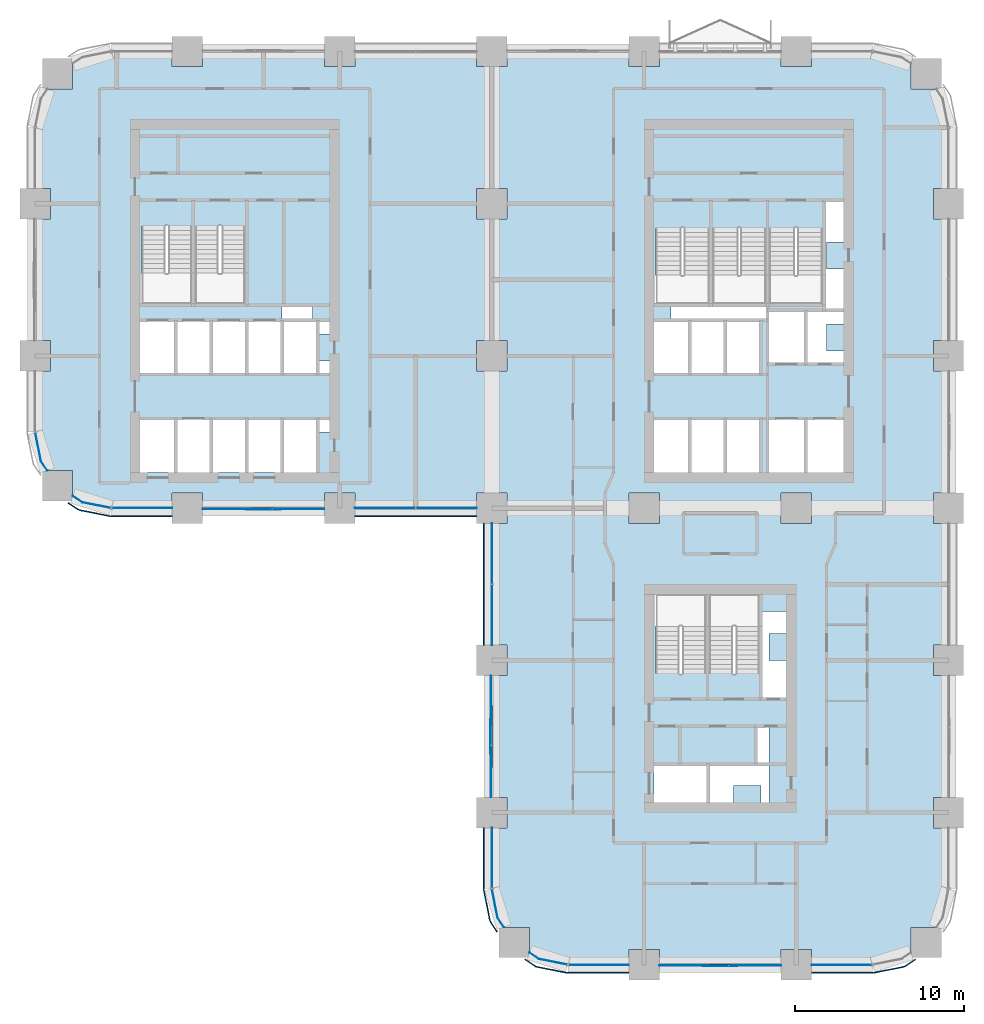
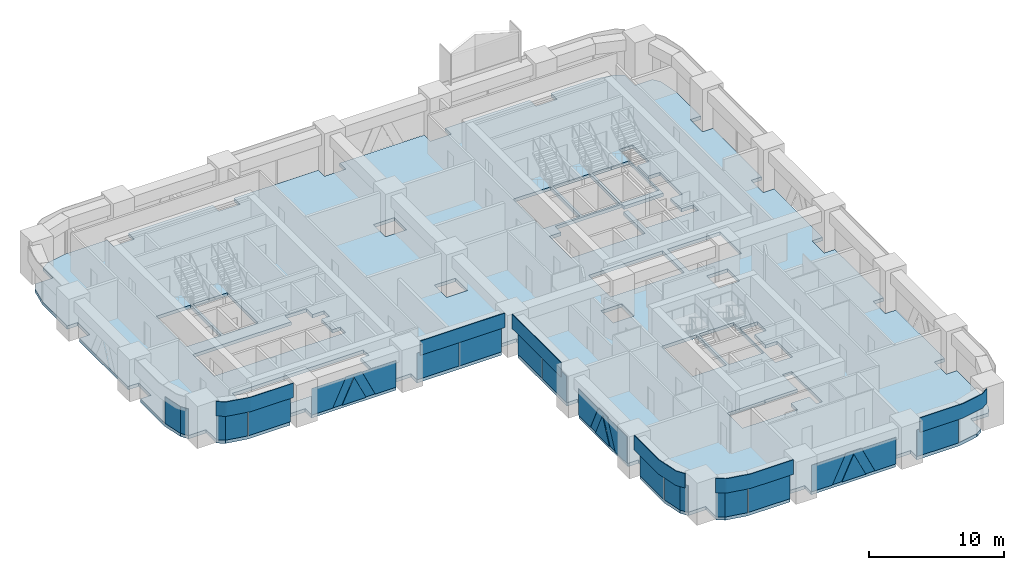
# One storey, part 9 of 26: 30 plates, 1 slab, 10 elements without a shape of their own.
"""IFC4 building model written with IfcOpenShell, lengths in metres."""

from ifc_helpers import new_model, si_unit, direction, frame, origin, origin_2d, place, context, subcontext, project, spatial, polyline, rectangle, outline, extrude, material, layer, layer_set, type_object, element, aggregate, save


model = new_model("IFC4")

# Units and contexts
model_context = context("Model", 3, precision=1e-05, world=origin(), true_north=direction((0.0, 1.0)))
body_context = subcontext(model_context, "Body", "Model", "MODEL_VIEW")
ifc_project = project(units=[si_unit("LENGTHUNIT", "METRE"), si_unit("AREAUNIT", "SQUARE_METRE"), si_unit("VOLUMEUNIT", "CUBIC_METRE"), si_unit("PLANEANGLEUNIT", "RADIAN"), si_unit("MASSUNIT", "GRAM", prefix="KILO")], contexts=[model_context])

# Site, building, storey
site_placement = place(None, origin())
site = spatial("IfcSite", under=ifc_project, at=site_placement, CompositionType="ELEMENT")
building_placement = place(site_placement, origin())
building = spatial("IfcBuilding", under=site, at=building_placement, Name="Tessera Arch", CompositionType="ELEMENT")
storey_placement = place(building_placement, frame((0.0, 0.0, 96.800048828125)))
storey = spatial("IfcBuildingStorey", under=building, at=storey_placement, Name="L22", CompositionType="ELEMENT", Elevation=96.800048828125)

# Curtain wall, plates
ifc_material_1 = material(Name="CW1 curtain wall")
curtain_wall_type_1 = type_object("IfcCurtainWallType", Name="CW1 curtain wall", PredefinedType="NOTDEFINED", material=ifc_material_1)
curtain_wall_1_placement = place(storey_placement, origin())
curtain_wall_1 = element("IfcCurtainWall", 1, at=curtain_wall_1_placement, inside=storey, type_object=curtain_wall_type_1, Name="CW1 curtain wall S27.0/2 L22", PredefinedType="NOTDEFINED")
ifc_material_2 = material(Name="Clear low-e glass", Category="glass")
ifc_material_3 = material(Name="Clear low-e glass", Category="glass")
ifc_layer_1 = layer(ifc_material_3, 0.028076171875)
ifc_layer_set_1 = layer_set([ifc_layer_1], Name="CW1 glass panel")
plate_type_1 = type_object("IfcPlateType", Name="CW1 glass panel", PredefinedType="CURTAIN_PANEL", material=ifc_layer_set_1)
plate_1_placement = place(storey_placement, frame((20.68505859375, 27.0, 0.0), z_axis=(0.0, 0.0, 1.0), x_axis=(1.0, 0.0, 0.0)))
plate_1 = element("IfcPlate", 2, at=plate_1_placement, type_object=plate_type_1, material=ifc_material_2, Name="CW1 glass panel S27.0/2 1.1.1", PredefinedType="CURTAIN_PANEL", context=body_context, shape_type="SweptSolid", body=[
    extrude(rectangle(XDim=3.570068359375, YDim=0.028076171875, at=origin_2d()), origin(), (0.0, 0.0, 1.0), 2.39990234375),
])
plate_2_placement = place(storey_placement, frame((24.31494140625, 27.0, 0.0), z_axis=(0.0, 0.0, 1.0), x_axis=(1.0, 0.0, 0.0)))
plate_2 = element("IfcPlate", 3, at=plate_2_placement, type_object=plate_type_1, material=ifc_material_2, Name="CW1 glass panel S27.0/2 1.2.1", PredefinedType="CURTAIN_PANEL", context=body_context, shape_type="SweptSolid", body=[
    extrude(rectangle(XDim=3.570068359375, YDim=0.028076171875, at=origin_2d()), origin(), (0.0, 0.0, 1.0), 2.39990234375),
])

curtain_wall_2_placement = place(storey_placement, origin())
curtain_wall_2 = element("IfcCurtainWall", 4, at=curtain_wall_2_placement, inside=storey, type_object=curtain_wall_type_1, Name="CW1 curtain wall W27.0/0 L22", PredefinedType="NOTDEFINED")
plate_3_placement = place(storey_placement, frame((27.0, 24.31494140625, 0.0), z_axis=(0.0, 0.0, 1.0), x_axis=(0.0, -1.0, 0.0)))
plate_3 = element("IfcPlate", 5, at=plate_3_placement, type_object=plate_type_1, material=ifc_material_2, Name="CW1 glass panel W27.0/0 1.1.1", PredefinedType="CURTAIN_PANEL", context=body_context, shape_type="SweptSolid", body=[
    extrude(rectangle(XDim=3.570068359375, YDim=0.028076171875, at=origin_2d()), origin(), (0.0, 0.0, 1.0), 2.39990234375),
])
plate_4_placement = place(storey_placement, frame((27.0, 20.68505859375, 0.0), z_axis=(0.0, 0.0, 1.0), x_axis=(0.0, -1.0, 0.0)))
plate_4 = element("IfcPlate", 6, at=plate_4_placement, type_object=plate_type_1, material=ifc_material_2, Name="CW1 glass panel W27.0/0 1.2.1", PredefinedType="CURTAIN_PANEL", context=body_context, shape_type="SweptSolid", body=[
    extrude(rectangle(XDim=3.570068359375, YDim=0.028076171875, at=origin_2d()), origin(), (0.0, 0.0, 1.0), 2.39990234375),
])

# Plate
ifc_material_4 = material(Name="Pale anodised aluminium panel", Category="aluminium")
ifc_layer_2 = layer(ifc_material_4, 0.06005859375)
ifc_layer_set_2 = layer_set([ifc_layer_2], Name="CW1 spandrel panel")
plate_type_2 = type_object("IfcPlateType", Name="CW1 spandrel panel", PredefinedType="CURTAIN_PANEL", material=ifc_layer_set_2)
plate_5_placement = place(storey_placement, frame((22.5, 26.52001953125, 2.5), z_axis=(0.0, 0.0, 1.0), x_axis=(1.0, 0.0, 0.0)))
plate_5 = element("IfcPlate", 7, at=plate_5_placement, type_object=plate_type_2, Name="CW1 spandrel panel S27.0/2", PredefinedType="CURTAIN_PANEL", context=body_context, shape_type="SweptSolid", body=[
    extrude(rectangle(XDim=7.199951171875, YDim=0.06005859375, at=origin_2d()), origin(), (0.0, 0.0, 1.0), 1.300048828125),
])

aggregate(curtain_wall_1, [plate_1, plate_2, plate_5])

plate_6_placement = place(storey_placement, frame((26.52001953125, 22.5, 2.5), z_axis=(0.0, 0.0, 1.0), x_axis=(0.0, -1.0, 0.0)))
plate_6 = element("IfcPlate", 8, at=plate_6_placement, type_object=plate_type_2, Name="CW1 spandrel panel W27.0/0", PredefinedType="CURTAIN_PANEL", context=body_context, shape_type="SweptSolid", body=[
    extrude(rectangle(XDim=7.199951171875, YDim=0.06005859375, at=origin_2d()), origin(), (0.0, 0.0, 1.0), 1.300048828125),
])

aggregate(curtain_wall_2, [plate_3, plate_4, plate_6])

# Curtain wall, plate
ifc_material_5 = material(Name="CW2 curtain wall")
curtain_wall_type_2 = type_object("IfcCurtainWallType", Name="CW2 curtain wall", PredefinedType="NOTDEFINED", material=ifc_material_5)
curtain_wall_3_placement = place(storey_placement, origin())
curtain_wall_3 = element("IfcCurtainWall", 9, at=curtain_wall_3_placement, inside=storey, type_object=curtain_wall_type_2, Name="CW2 curtain wall W0.27/2 L22", PredefinedType="NOTDEFINED")
ifc_material_6 = material(Name="Clear low-e glass", Category="glass")
ifc_layer_3 = layer(ifc_material_6, 0.028076171875)
ifc_layer_set_3 = layer_set([ifc_layer_3], Name="CW2 glass panel")
plate_type_3 = type_object("IfcPlateType", Name="CW2 glass panel", PredefinedType="CURTAIN_PANEL", material=ifc_layer_set_3)
plate_7_placement = place(storey_placement, origin())
plate_7 = element("IfcPlate", 10, at=plate_7_placement, type_object=plate_type_3, material=ifc_material_2, Name="CW2 curved glass panel W0.27/2 2.1", PredefinedType="CURTAIN_PANEL", context=body_context, shape_type="SweptSolid", body=[
    extrude(outline(polyline([(0.355712890625, 29.783447265625), (0.021484375, 31.46337890625), (-0.005859375, 31.4580078125), (0.329345703125, 29.7724609375), (0.705078125, 29.210205078125), (0.728271484375, 29.225830078125), (0.355712890625, 29.783447265625)])), origin(), (0.0, 0.0, 1.0), 2.39990234375),
])
aggregate(curtain_wall_3, [plate_7])

# Curtain wall, plates
curtain_wall_4_placement = place(storey_placement, origin())
curtain_wall_4 = element("IfcCurtainWall", 11, at=curtain_wall_4_placement, inside=storey, type_object=curtain_wall_type_2, Name="CW2 curtain wall S27.0/0 L22", PredefinedType="NOTDEFINED")
plate_8_placement = place(storey_placement, frame((6.320068359375, 27.0, 0.0), z_axis=(0.0, 0.0, 1.0), x_axis=(1.0, 0.0, 0.0)))
plate_8 = element("IfcPlate", 12, at=plate_8_placement, type_object=plate_type_3, material=ifc_material_2, Name="CW2 glass panel S27.0/0 1.1", PredefinedType="CURTAIN_PANEL", context=body_context, shape_type="SweptSolid", body=[
    extrude(rectangle(XDim=3.56005859375, YDim=0.028076171875, at=origin_2d()), origin(), (0.0, 0.0, 1.0), 2.39990234375),
])
plate_9_placement = place(storey_placement, origin())
plate_9 = element("IfcPlate", 13, at=plate_9_placement, type_object=plate_type_3, material=ifc_material_2, Name="CW2 curved glass panel S27.0/0 2.1", PredefinedType="CURTAIN_PANEL", context=body_context, shape_type="SweptSolid", body=[
    extrude(outline(polyline([(2.783447265625, 27.355712890625), (2.225830078125, 27.728271484375), (2.210205078125, 27.705078125), (2.7724609375, 27.329345703125), (4.4580078125, 26.994140625), (4.46337890625, 27.021484375), (2.783447265625, 27.355712890625)])), origin(), (0.0, 0.0, 1.0), 2.39990234375),
])

curtain_wall_5_placement = place(storey_placement, origin())
curtain_wall_5 = element("IfcCurtainWall", 14, at=curtain_wall_5_placement, inside=storey, type_object=curtain_wall_type_2, Name="CW2 curtain wall W27.0/2 L22", PredefinedType="NOTDEFINED")
plate_10_placement = place(storey_placement, frame((27.0, 6.320068359375, 0.0), z_axis=(0.0, 0.0, 1.0), x_axis=(0.0, -1.0, 0.0)))
plate_10 = element("IfcPlate", 15, at=plate_10_placement, type_object=plate_type_3, material=ifc_material_2, Name="CW2 glass panel W27.0/2 1.1", PredefinedType="CURTAIN_PANEL", context=body_context, shape_type="SweptSolid", body=[
    extrude(rectangle(XDim=3.56005859375, YDim=0.028076171875, at=origin_2d()), origin(), (0.0, 0.0, 1.0), 2.39990234375),
])
plate_11_placement = place(storey_placement, origin())
plate_11 = element("IfcPlate", 16, at=plate_11_placement, type_object=plate_type_3, material=ifc_material_2, Name="CW2 curved glass panel W27.0/2 2.1", PredefinedType="CURTAIN_PANEL", context=body_context, shape_type="SweptSolid", body=[
    extrude(outline(polyline([(27.355712890625, 2.783447265625), (27.021484375, 4.46337890625), (26.994140625, 4.4580078125), (27.329345703125, 2.7724609375), (27.705078125, 2.210205078125), (27.728271484375, 2.225830078125), (27.355712890625, 2.783447265625)])), origin(), (0.0, 0.0, 1.0), 2.39990234375),
])

curtain_wall_6_placement = place(storey_placement, origin())
curtain_wall_6 = element("IfcCurtainWall", 17, at=curtain_wall_6_placement, inside=storey, type_object=curtain_wall_type_2, Name="CW2 curtain wall S0.27/0 L22", PredefinedType="NOTDEFINED")
plate_12_placement = place(storey_placement, frame((33.320068359375, 0.0, 0.0), z_axis=(0.0, 0.0, 1.0), x_axis=(1.0, 0.0, 0.0)))
plate_12 = element("IfcPlate", 18, at=plate_12_placement, type_object=plate_type_3, material=ifc_material_2, Name="CW2 glass panel S0.27/0 1.1", PredefinedType="CURTAIN_PANEL", context=body_context, shape_type="SweptSolid", body=[
    extrude(rectangle(XDim=3.56005859375, YDim=0.028076171875, at=origin_2d()), origin(), (0.0, 0.0, 1.0), 2.39990234375),
])
plate_13_placement = place(storey_placement, origin())
plate_13 = element("IfcPlate", 19, at=plate_13_placement, type_object=plate_type_3, material=ifc_material_2, Name="CW2 curved glass panel S0.27/0 2.1", PredefinedType="CURTAIN_PANEL", context=body_context, shape_type="SweptSolid", body=[
    extrude(outline(polyline([(29.783447265625, 0.355712890625), (29.225830078125, 0.728271484375), (29.210205078125, 0.705078125), (29.7724609375, 0.329345703125), (31.4580078125, -0.005859375), (31.46337890625, 0.021484375), (29.783447265625, 0.355712890625)])), origin(), (0.0, 0.0, 1.0), 2.39990234375),
])

# Curtain wall, plate
curtain_wall_7_placement = place(storey_placement, origin())
curtain_wall_7 = element("IfcCurtainWall", 20, at=curtain_wall_7_placement, inside=storey, type_object=curtain_wall_type_2, Name="CW2 curtain wall S0.27/2 L22", PredefinedType="NOTDEFINED")
plate_14_placement = place(storey_placement, frame((47.679931640625, 0.0, 0.0), z_axis=(0.0, 0.0, 1.0), x_axis=(1.0, 0.0, 0.0)))
plate_14 = element("IfcPlate", 21, at=plate_14_placement, type_object=plate_type_3, material=ifc_material_2, Name="CW2 glass panel S0.27/2 1.1", PredefinedType="CURTAIN_PANEL", context=body_context, shape_type="SweptSolid", body=[
    extrude(rectangle(XDim=3.56005859375, YDim=0.028076171875, at=origin_2d()), origin(), (0.0, 0.0, 1.0), 2.39990234375),
])

# Plate
ifc_material_7 = material(Name="Pale anodised aluminium panel", Category="aluminium")
ifc_layer_4 = layer(ifc_material_7, 0.06005859375)
ifc_layer_set_4 = layer_set([ifc_layer_4], Name="CW2 spandrel panel")
plate_type_4 = type_object("IfcPlateType", Name="CW2 spandrel panel", PredefinedType="CURTAIN_PANEL", material=ifc_layer_set_4)
plate_15_placement = place(storey_placement, frame((0.0, 0.0, 2.5)))
plate_15 = element("IfcPlate", 22, at=plate_15_placement, type_object=plate_type_4, Name="CW2 spandrel panel S27.0/0", PredefinedType="CURTAIN_PANEL", context=body_context, shape_type="SweptSolid", body=[
    extrude(outline(polyline([(2.52734375, 26.96875), (1.968017578125, 27.342529296875), (1.9345703125, 27.292724609375), (2.4951171875, 26.91796875), (2.537353515625, 26.892822265625), (2.582763671875, 26.871337890625), (2.6298828125, 26.8544921875), (2.677734375, 26.842529296875), (4.401123046875, 26.499755859375), (4.449951171875, 26.492431640625), (4.499267578125, 26.489990234375), (8.10009765625, 26.489990234375), (8.10009765625, 26.550048828125), (4.500732421875, 26.550048828125), (4.455810546875, 26.55224609375), (4.411376953125, 26.558837890625), (2.69091796875, 26.90087890625), (2.647216796875, 26.911865234375), (2.605712890625, 26.9267578125), (2.565673828125, 26.94580078125), (2.52734375, 26.96875)])), origin(), (0.0, 0.0, 1.0), 1.300048828125),
])

aggregate(curtain_wall_4, [plate_8, plate_9, plate_15])

plate_16_placement = place(storey_placement, frame((0.0, 0.0, 2.5)))
plate_16 = element("IfcPlate", 23, at=plate_16_placement, type_object=plate_type_4, Name="CW2 spandrel panel W27.0/2", PredefinedType="CURTAIN_PANEL", context=body_context, shape_type="SweptSolid", body=[
    extrude(outline(polyline([(26.550048828125, 4.500732421875), (26.550048828125, 8.10009765625), (26.489990234375, 8.10009765625), (26.489990234375, 4.499267578125), (26.492431640625, 4.449951171875), (26.499755859375, 4.401123046875), (26.842529296875, 2.677734375), (26.8544921875, 2.6298828125), (26.871337890625, 2.582763671875), (26.892822265625, 2.537353515625), (26.91796875, 2.4951171875), (27.292724609375, 1.9345703125), (27.342529296875, 1.968017578125), (26.96875, 2.52734375), (26.94580078125, 2.565673828125), (26.9267578125, 2.605712890625), (26.911865234375, 2.647216796875), (26.90087890625, 2.69091796875), (26.558837890625, 4.411376953125), (26.55224609375, 4.455810546875), (26.550048828125, 4.500732421875)])), origin(), (0.0, 0.0, 1.0), 1.300048828125),
])

aggregate(curtain_wall_5, [plate_10, plate_11, plate_16])

plate_17_placement = place(storey_placement, frame((0.0, 0.0, 2.5)))
plate_17 = element("IfcPlate", 24, at=plate_17_placement, type_object=plate_type_4, Name="CW2 spandrel panel S0.27/0", PredefinedType="CURTAIN_PANEL", context=body_context, shape_type="SweptSolid", body=[
    extrude(outline(polyline([(29.52734375, -0.03125), (28.968017578125, 0.342529296875), (28.9345703125, 0.292724609375), (29.4951171875, -0.08203125), (29.537353515625, -0.107177734375), (29.582763671875, -0.128662109375), (29.6298828125, -0.1455078125), (29.677734375, -0.157470703125), (31.401123046875, -0.500244140625), (31.449951171875, -0.507568359375), (31.499267578125, -0.510009765625), (35.10009765625, -0.510009765625), (35.10009765625, -0.449951171875), (31.500732421875, -0.449951171875), (31.455810546875, -0.44775390625), (31.411376953125, -0.441162109375), (29.69091796875, -0.09912109375), (29.647216796875, -0.088134765625), (29.605712890625, -0.0732421875), (29.565673828125, -0.05419921875), (29.52734375, -0.03125)])), origin(), (0.0, 0.0, 1.0), 1.300048828125),
])

aggregate(curtain_wall_6, [plate_12, plate_13, plate_17])

plate_18_placement = place(storey_placement, frame((0.0, 0.0, 2.5)))
plate_18 = element("IfcPlate", 25, at=plate_18_placement, type_object=plate_type_4, Name="CW2 spandrel panel S0.27/2", PredefinedType="CURTAIN_PANEL", context=body_context, shape_type="SweptSolid", body=[
    extrude(outline(polyline([(49.499267578125, -0.449951171875), (45.89990234375, -0.449951171875), (45.89990234375, -0.510009765625), (49.500732421875, -0.510009765625), (49.550048828125, -0.507568359375), (49.598876953125, -0.500244140625), (51.322265625, -0.157470703125), (51.3701171875, -0.1455078125), (51.417236328125, -0.128662109375), (51.462646484375, -0.107177734375), (51.5048828125, -0.08203125), (52.0654296875, 0.292724609375), (52.031982421875, 0.342529296875), (51.47265625, -0.03125), (51.434326171875, -0.05419921875), (51.394287109375, -0.0732421875), (51.352783203125, -0.088134765625), (51.30908203125, -0.09912109375), (49.588623046875, -0.441162109375), (49.544189453125, -0.44775390625), (49.499267578125, -0.449951171875)])), origin(), (0.0, 0.0, 1.0), 1.300048828125),
])

aggregate(curtain_wall_7, [plate_14, plate_18])

# Curtain wall, plate
ifc_material_8 = material(Name="CW3 curtain wall")
curtain_wall_type_3 = type_object("IfcCurtainWallType", Name="CW3 curtain wall", PredefinedType="NOTDEFINED", material=ifc_material_8)
curtain_wall_8_placement = place(storey_placement, origin())
curtain_wall_8 = element("IfcCurtainWall", 26, at=curtain_wall_8_placement, inside=storey, type_object=curtain_wall_type_3, Name="CW3 curtain wall S27.0/1 L22", PredefinedType="NOTDEFINED")
ifc_material_9 = material(Name="Pale anodised aluminium panel", Category="aluminium")
ifc_layer_5 = layer(ifc_material_9, 0.06005859375)
ifc_layer_set_5 = layer_set([ifc_layer_5], Name="CW3 diagonal panel")
plate_type_5 = type_object("IfcPlateType", Name="CW3 diagonal panel", PredefinedType="CURTAIN_PANEL", material=ifc_layer_set_5)
plate_19_placement = place(storey_placement, frame((14.183349609375, 26.969970703125, 2.39990234375), z_axis=(0.0, -1.0, 0.0), x_axis=(-1.0, 0.0, 0.0)))
plate_19 = element("IfcPlate", 27, at=plate_19_placement, type_object=plate_type_5, Name="CW3 diagonal panel S27.0/1 1", PredefinedType="CURTAIN_PANEL", context=body_context, shape_type="SweptSolid", body=[
    extrude(outline(polyline([(0.0, 0.0), (1.36669921875, 0.0), (2.50341796875, 2.39990234375), (1.705322265625, 2.39990234375), (0.683349609375, 0.242431640625), (-0.338623046875, 2.39990234375), (-1.13671875, 2.39990234375), (0.0, 0.0)])), origin(), (0.0, 0.0, -1.0), 0.06005859375),
])

curtain_wall_9_placement = place(storey_placement, origin())
curtain_wall_9 = element("IfcCurtainWall", 28, at=curtain_wall_9_placement, inside=storey, type_object=curtain_wall_type_3, Name="CW3 curtain wall W27.0/1 L22", PredefinedType="NOTDEFINED")
plate_20_placement = place(storey_placement, frame((26.969970703125, 12.816650390625, 2.39990234375), z_axis=(-1.0, 0.0, 0.0), x_axis=(0.0, 1.0, 0.0)))
plate_20 = element("IfcPlate", 29, at=plate_20_placement, type_object=plate_type_5, Name="CW3 diagonal panel W27.0/1 1", PredefinedType="CURTAIN_PANEL", context=body_context, shape_type="SweptSolid", body=[
    extrude(outline(polyline([(0.0, 0.0), (1.36669921875, 0.0), (2.50341796875, 2.39990234375), (1.705322265625, 2.39990234375), (0.683349609375, 0.242431640625), (-0.338623046875, 2.39990234375), (-1.13671875, 2.39990234375), (0.0, 0.0)])), origin(), (0.0, 0.0, -1.0), 0.06005859375),
])

curtain_wall_10_placement = place(storey_placement, origin())
curtain_wall_10 = element("IfcCurtainWall", 30, at=curtain_wall_10_placement, inside=storey, type_object=curtain_wall_type_3, Name="CW3 curtain wall S0.27/1 L22", PredefinedType="NOTDEFINED")
plate_21_placement = place(storey_placement, frame((41.183349609375, -0.030029296875, 2.39990234375), z_axis=(0.0, -1.0, 0.0), x_axis=(-1.0, 0.0, 0.0)))
plate_21 = element("IfcPlate", 31, at=plate_21_placement, type_object=plate_type_5, Name="CW3 diagonal panel S0.27/1 1", PredefinedType="CURTAIN_PANEL", context=body_context, shape_type="SweptSolid", body=[
    extrude(outline(polyline([(0.0, 0.0), (1.36669921875, 0.0), (2.50341796875, 2.39990234375), (1.705322265625, 2.39990234375), (0.683349609375, 0.242431640625), (-0.338623046875, 2.39990234375), (-1.13671875, 2.39990234375), (0.0, 0.0)])), origin(), (0.0, 0.0, -1.0), 0.06005859375),
])

# Plate
ifc_material_10 = material(Name="Clear low-e glass", Category="glass")
ifc_layer_6 = layer(ifc_material_10, 0.028076171875)
ifc_layer_set_6 = layer_set([ifc_layer_6], Name="CW3 glass panel")
plate_type_6 = type_object("IfcPlateType", Name="CW3 glass panel", PredefinedType="CURTAIN_PANEL", material=ifc_layer_set_6)
plate_22_placement = place(storey_placement, frame((9.89990234375, 26.94189453125, 0.0), z_axis=(0.0, -1.0, 0.0), x_axis=(1.0, 0.0, 0.0)))
plate_22 = element("IfcPlate", 32, at=plate_22_placement, type_object=plate_type_6, material=ifc_material_2, Name="CW3 triangulated glass panel S27.0/1 1", PredefinedType="CURTAIN_PANEL", context=body_context, shape_type="SweptSolid", body=[
    extrude(outline(polyline([(0.0, 0.0), (1.780029296875, 0.0), (2.916748046875, 2.39990234375), (0.0, 2.39990234375), (0.0, 0.0)])), origin(), (0.0, 0.0, -1.0), 0.028076171875),
])

plate_23_placement = place(storey_placement, frame((12.47802734375, 26.9140625, 0.0), z_axis=(0.0, -1.0, 0.0), x_axis=(1.0, 0.0, 0.0)))
plate_23 = element("IfcPlate", 33, at=plate_23_placement, type_object=plate_type_6, material=ifc_material_2, Name="CW3 triangulated glass panel S27.0/1 2", PredefinedType="CURTAIN_PANEL", context=body_context, shape_type="SweptSolid", body=[
    extrude(outline(polyline([(0.0, 0.0), (2.0439453125, 0.0), (1.02197265625, 2.157470703125), (0.0, 0.0)])), origin(), (0.0, 0.0, -1.0), 0.028076171875),
])

plate_24_placement = place(storey_placement, frame((17.10009765625, 26.94189453125, 2.39990234375), z_axis=(0.0, -1.0, 0.0), x_axis=(-1.0, 0.0, 0.0)))
plate_24 = element("IfcPlate", 34, at=plate_24_placement, type_object=plate_type_6, material=ifc_material_2, Name="CW3 triangulated glass panel S27.0/1 3", PredefinedType="CURTAIN_PANEL", context=body_context, shape_type="SweptSolid", body=[
    extrude(outline(polyline([(0.0, 0.0), (2.916748046875, 0.0), (1.780029296875, 2.39990234375), (0.0, 2.39990234375), (0.0, 0.0)])), origin(), (0.0, 0.0, -1.0), 0.028076171875),
])

aggregate(curtain_wall_8, [plate_22, plate_23, plate_24, plate_19])

plate_25_placement = place(storey_placement, frame((26.94189453125, 17.10009765625, 0.0), z_axis=(-1.0, 0.0, 0.0), x_axis=(0.0, -1.0, 0.0)))
plate_25 = element("IfcPlate", 35, at=plate_25_placement, type_object=plate_type_6, material=ifc_material_2, Name="CW3 triangulated glass panel W27.0/1 1", PredefinedType="CURTAIN_PANEL", context=body_context, shape_type="SweptSolid", body=[
    extrude(outline(polyline([(0.0, 0.0), (1.780029296875, 0.0), (2.916748046875, 2.39990234375), (0.0, 2.39990234375), (0.0, 0.0)])), origin(), (0.0, 0.0, -1.0), 0.028076171875),
])

plate_26_placement = place(storey_placement, frame((26.9140625, 14.52197265625, 0.0), z_axis=(-1.0, 0.0, 0.0), x_axis=(0.0, -1.0, 0.0)))
plate_26 = element("IfcPlate", 36, at=plate_26_placement, type_object=plate_type_6, material=ifc_material_2, Name="CW3 triangulated glass panel W27.0/1 2", PredefinedType="CURTAIN_PANEL", context=body_context, shape_type="SweptSolid", body=[
    extrude(outline(polyline([(0.0, 0.0), (2.0439453125, 0.0), (1.02197265625, 2.157470703125), (0.0, 0.0)])), origin(), (0.0, 0.0, -1.0), 0.028076171875),
])

plate_27_placement = place(storey_placement, frame((26.94189453125, 9.89990234375, 2.39990234375), z_axis=(-1.0, 0.0, 0.0), x_axis=(0.0, 1.0, 0.0)))
plate_27 = element("IfcPlate", 37, at=plate_27_placement, type_object=plate_type_6, material=ifc_material_2, Name="CW3 triangulated glass panel W27.0/1 3", PredefinedType="CURTAIN_PANEL", context=body_context, shape_type="SweptSolid", body=[
    extrude(outline(polyline([(0.0, 0.0), (2.916748046875, 0.0), (1.780029296875, 2.39990234375), (0.0, 2.39990234375), (0.0, 0.0)])), origin(), (0.0, 0.0, -1.0), 0.028076171875),
])

aggregate(curtain_wall_9, [plate_25, plate_26, plate_27, plate_20])

plate_28_placement = place(storey_placement, frame((36.89990234375, -0.05810546875, 0.0), z_axis=(0.0, -1.0, 0.0), x_axis=(1.0, 0.0, 0.0)))
plate_28 = element("IfcPlate", 38, at=plate_28_placement, type_object=plate_type_6, material=ifc_material_2, Name="CW3 triangulated glass panel S0.27/1 1", PredefinedType="CURTAIN_PANEL", context=body_context, shape_type="SweptSolid", body=[
    extrude(outline(polyline([(0.0, 0.0), (1.780029296875, 0.0), (2.916748046875, 2.39990234375), (0.0, 2.39990234375), (0.0, 0.0)])), origin(), (0.0, 0.0, -1.0), 0.028076171875),
])

plate_29_placement = place(storey_placement, frame((39.47802734375, -0.0859375, 0.0), z_axis=(0.0, -1.0, 0.0), x_axis=(1.0, 0.0, 0.0)))
plate_29 = element("IfcPlate", 39, at=plate_29_placement, type_object=plate_type_6, material=ifc_material_2, Name="CW3 triangulated glass panel S0.27/1 2", PredefinedType="CURTAIN_PANEL", context=body_context, shape_type="SweptSolid", body=[
    extrude(outline(polyline([(0.0, 0.0), (2.0439453125, 0.0), (1.02197265625, 2.157470703125), (0.0, 0.0)])), origin(), (0.0, 0.0, -1.0), 0.028076171875),
])

plate_30_placement = place(storey_placement, frame((44.10009765625, -0.05810546875, 2.39990234375), z_axis=(0.0, -1.0, 0.0), x_axis=(-1.0, 0.0, 0.0)))
plate_30 = element("IfcPlate", 40, at=plate_30_placement, type_object=plate_type_6, material=ifc_material_2, Name="CW3 triangulated glass panel S0.27/1 3", PredefinedType="CURTAIN_PANEL", context=body_context, shape_type="SweptSolid", body=[
    extrude(outline(polyline([(0.0, 0.0), (2.916748046875, 0.0), (1.780029296875, 2.39990234375), (0.0, 2.39990234375), (0.0, 0.0)])), origin(), (0.0, 0.0, -1.0), 0.028076171875),
])

aggregate(curtain_wall_10, [plate_28, plate_29, plate_30, plate_21])

# Slab
ifc_material_11 = material(Name="Concrete C40/50", Category="concrete")
ifc_layer_7 = layer(ifc_material_11, 0.300048828125)
ifc_layer_set_7 = layer_set([ifc_layer_7], Name="Floor slab 300 Concrete C40/50")
slab_type = type_object("IfcSlabType", Name="Floor slab 300 Concrete C40/50", PredefinedType="FLOOR", material=ifc_layer_set_7)
slab_placement = place(storey_placement, frame((0.0, 0.0, -0.300048828125)))
element("IfcSlab", 41, at=slab_placement, inside=storey, type_object=slab_type, Name="Floor slab L22 1", PredefinedType="FLOOR", context=body_context, shape_type="SweptSolid", body=[
    extrude(outline(polyline([(49.5, 54.0), (51.22216796875, 53.657470703125), (51.781982421875, 53.283447265625), (51.781982421875, 51.781982421875), (53.283447265625, 51.781982421875), (53.657470703125, 51.22216796875), (54.0, 49.5), (54.0, 45.89990234375), (53.10009765625, 45.89990234375), (53.10009765625, 44.10009765625), (54.0, 44.10009765625), (54.0, 36.89990234375), (53.10009765625, 36.89990234375), (53.10009765625, 35.10009765625), (54.0, 35.10009765625), (54.0, 27.89990234375), (53.10009765625, 27.89990234375), (53.10009765625, 26.10009765625), (54.0, 26.10009765625), (54.0, 18.89990234375), (53.10009765625, 18.89990234375), (53.10009765625, 17.10009765625), (54.0, 17.10009765625), (54.0, 9.89990234375), (53.10009765625, 9.89990234375), (53.10009765625, 8.10009765625), (54.0, 8.10009765625), (54.0, 4.5), (53.657470703125, 2.77783203125), (53.283447265625, 2.218017578125), (51.781982421875, 2.218017578125), (51.781982421875, 0.716552734375), (51.22216796875, 0.342529296875), (49.5, 0.0), (45.89990234375, 0.0), (45.89990234375, 0.89990234375), (44.10009765625, 0.89990234375), (44.10009765625, 0.0), (36.89990234375, 0.0), (36.89990234375, 0.89990234375), (35.10009765625, 0.89990234375), (35.10009765625, 0.0), (31.5, 0.0), (29.77783203125, 0.342529296875), (29.218017578125, 0.716552734375), (29.218017578125, 2.218017578125), (27.716552734375, 2.218017578125), (27.342529296875, 2.77783203125), (27.0, 4.5), (27.0, 8.10009765625), (27.89990234375, 8.10009765625), (27.89990234375, 9.89990234375), (27.0, 9.89990234375), (27.0, 17.10009765625), (27.89990234375, 17.10009765625), (27.89990234375, 18.89990234375), (27.0, 18.89990234375), (27.0, 26.10009765625), (27.89990234375, 26.10009765625), (27.89990234375, 27.89990234375), (26.10009765625, 27.89990234375), (26.10009765625, 27.0), (18.89990234375, 27.0), (18.89990234375, 27.89990234375), (17.10009765625, 27.89990234375), (17.10009765625, 27.0), (9.89990234375, 27.0), (9.89990234375, 27.89990234375), (8.10009765625, 27.89990234375), (8.10009765625, 27.0), (4.5, 27.0), (2.77783203125, 27.342529296875), (2.218017578125, 27.716552734375), (2.218017578125, 29.218017578125), (0.716552734375, 29.218017578125), (0.342529296875, 29.77783203125), (0.0, 31.5), (0.0, 35.10009765625), (0.89990234375, 35.10009765625), (0.89990234375, 36.89990234375), (0.0, 36.89990234375), (0.0, 44.10009765625), (0.89990234375, 44.10009765625), (0.89990234375, 45.89990234375), (0.0, 45.89990234375), (0.0, 49.5), (0.342529296875, 51.22216796875), (0.716552734375, 51.781982421875), (2.218017578125, 51.781982421875), (2.218017578125, 53.283447265625), (2.77783203125, 53.657470703125), (4.5, 54.0), (8.10009765625, 54.0), (8.10009765625, 53.10009765625), (9.89990234375, 53.10009765625), (9.89990234375, 54.0), (17.10009765625, 54.0), (17.10009765625, 53.10009765625), (18.89990234375, 53.10009765625), (18.89990234375, 54.0), (26.10009765625, 54.0), (26.10009765625, 53.10009765625), (27.89990234375, 53.10009765625), (27.89990234375, 54.0), (35.10009765625, 54.0), (35.10009765625, 53.10009765625), (36.89990234375, 53.10009765625), (36.89990234375, 54.0), (44.10009765625, 54.0), (44.10009765625, 53.10009765625), (45.89990234375, 53.10009765625), (45.89990234375, 54.0), (49.5, 54.0)]), holes=[polyline([(6.199951171875, 32.300048828125), (6.199951171875, 29.10009765625), (8.300048828125, 29.10009765625), (10.39990234375, 29.10009765625), (12.5, 29.10009765625), (14.60009765625, 29.10009765625), (16.699951171875, 29.10009765625), (16.699951171875, 31.5), (17.39990234375, 31.5), (17.39990234375, 32.300048828125), (16.699951171875, 32.300048828125), (14.60009765625, 32.300048828125), (12.5, 32.300048828125), (10.39990234375, 32.300048828125), (8.300048828125, 32.300048828125), (6.199951171875, 32.300048828125)]), polyline([(14.60009765625, 34.89990234375), (16.699951171875, 34.89990234375), (17.39990234375, 34.89990234375), (17.39990234375, 35.699951171875), (16.699951171875, 35.699951171875), (16.699951171875, 37.300048828125), (17.39990234375, 37.300048828125), (17.39990234375, 38.10009765625), (16.699951171875, 38.10009765625), (16.39990234375, 38.10009765625), (16.39990234375, 39.0), (14.60009765625, 39.0), (14.60009765625, 38.10009765625), (12.5, 38.10009765625), (10.39990234375, 38.10009765625), (8.300048828125, 38.10009765625), (6.199951171875, 38.10009765625), (6.199951171875, 34.89990234375), (8.300048828125, 34.89990234375), (10.39990234375, 34.89990234375), (12.5, 34.89990234375), (14.60009765625, 34.89990234375)]), polyline([(11.0, 43.699951171875), (10.85009765625, 43.699951171875), (10.85009765625, 43.68994140625), (9.449951171875, 43.68994140625), (9.449951171875, 39.199951171875), (12.39990234375, 39.199951171875), (12.39990234375, 43.68994140625), (11.0, 43.68994140625), (11.0, 43.699951171875)]), polyline([(7.85009765625, 43.699951171875), (7.699951171875, 43.699951171875), (7.699951171875, 43.68994140625), (6.300048828125, 43.68994140625), (6.300048828125, 39.199951171875), (9.25, 39.199951171875), (9.25, 43.68994140625), (7.85009765625, 43.68994140625), (7.85009765625, 43.699951171875)]), polyline([(43.39990234375, 9.60009765625), (43.39990234375, 11.89990234375), (43.39990234375, 14.10009765625), (42.60009765625, 14.10009765625), (42.60009765625, 11.89990234375), (39.800048828125, 11.89990234375), (39.800048828125, 11.85009765625), (36.60009765625, 11.85009765625), (36.60009765625, 9.60009765625), (39.800048828125, 9.60009765625), (41.300048828125, 9.60009765625), (41.300048828125, 10.60009765625), (42.89990234375, 10.60009765625), (42.89990234375, 9.60009765625), (43.39990234375, 9.60009765625)]), polyline([(41.25, 17.199951171875), (41.39990234375, 17.199951171875), (41.39990234375, 17.2099609375), (42.800048828125, 17.2099609375), (42.800048828125, 21.699951171875), (39.85009765625, 21.699951171875), (39.85009765625, 17.2099609375), (41.25, 17.2099609375), (41.25, 17.199951171875)]), polyline([(38.10009765625, 17.199951171875), (38.25, 17.199951171875), (38.25, 17.2099609375), (39.64990234375, 17.2099609375), (39.64990234375, 21.699951171875), (36.699951171875, 21.699951171875), (36.699951171875, 17.2099609375), (38.10009765625, 17.2099609375), (38.10009765625, 17.199951171875)]), polyline([(35.10009765625, 26.10009765625), (36.89990234375, 26.10009765625), (36.89990234375, 27.89990234375), (35.10009765625, 27.89990234375), (35.10009765625, 26.10009765625)]), polyline([(38.699951171875, 29.10009765625), (40.800048828125, 29.10009765625), (42.89990234375, 29.10009765625), (42.89990234375, 32.300048828125), (40.800048828125, 32.300048828125), (38.699951171875, 32.300048828125), (36.60009765625, 32.300048828125), (36.60009765625, 29.10009765625), (38.699951171875, 29.10009765625)]), polyline([(26.10009765625, 35.10009765625), (27.89990234375, 35.10009765625), (27.89990234375, 36.89990234375), (26.10009765625, 36.89990234375), (26.10009765625, 35.10009765625)]), polyline([(43.300048828125, 39.0), (37.60009765625, 39.0), (37.60009765625, 38.10009765625), (36.60009765625, 38.10009765625), (36.60009765625, 34.89990234375), (38.699951171875, 34.89990234375), (40.800048828125, 34.89990234375), (42.89990234375, 34.89990234375), (42.89990234375, 38.10009765625), (43.300048828125, 38.10009765625), (43.300048828125, 35.5), (45.550048828125, 35.5), (47.800048828125, 35.5), (47.800048828125, 36.300048828125), (46.800048828125, 36.300048828125), (46.800048828125, 37.89990234375), (47.800048828125, 37.89990234375), (47.800048828125, 38.699951171875), (47.800048828125, 41.14990234375), (46.800048828125, 41.14990234375), (46.800048828125, 42.75), (47.800048828125, 42.75), (47.800048828125, 45.199951171875), (46.64990234375, 45.199951171875), (46.64990234375, 38.699951171875), (45.550048828125, 38.699951171875), (43.300048828125, 38.699951171875), (43.300048828125, 39.0)]), polyline([(38.330078125, 43.580078125), (38.219970703125, 43.580078125), (38.219970703125, 43.570068359375), (36.699951171875, 43.570068359375), (36.699951171875, 39.199951171875), (39.85009765625, 39.199951171875), (39.85009765625, 43.570068359375), (38.330078125, 43.570068359375), (38.330078125, 43.580078125)]), polyline([(26.10009765625, 44.10009765625), (27.89990234375, 44.10009765625), (27.89990234375, 45.89990234375), (26.10009765625, 45.89990234375), (26.10009765625, 44.10009765625)]), polyline([(42.89990234375, 15.699951171875), (44.39990234375, 15.699951171875), (44.39990234375, 18.0), (43.39990234375, 18.0), (43.39990234375, 19.60009765625), (44.39990234375, 19.60009765625), (44.39990234375, 20.89990234375), (42.89990234375, 20.89990234375), (42.89990234375, 15.699951171875)]), polyline([(44.10009765625, 26.10009765625), (45.89990234375, 26.10009765625), (45.89990234375, 27.89990234375), (44.10009765625, 27.89990234375), (44.10009765625, 26.10009765625)]), polyline([(45.550048828125, 29.10009765625), (47.800048828125, 29.10009765625), (47.800048828125, 32.300048828125), (45.550048828125, 32.300048828125), (43.300048828125, 32.300048828125), (43.300048828125, 29.10009765625), (45.550048828125, 29.10009765625)]), polyline([(45.030029296875, 43.580078125), (44.919921875, 43.580078125), (44.919921875, 43.570068359375), (43.39990234375, 43.570068359375), (43.39990234375, 39.199951171875), (46.550048828125, 39.199951171875), (46.550048828125, 43.570068359375), (45.030029296875, 43.570068359375), (45.030029296875, 43.580078125)]), polyline([(41.679931640625, 43.580078125), (41.570068359375, 43.580078125), (41.570068359375, 43.570068359375), (40.050048828125, 43.570068359375), (40.050048828125, 39.199951171875), (43.199951171875, 39.199951171875), (43.199951171875, 43.570068359375), (41.679931640625, 43.570068359375), (41.679931640625, 43.580078125)])]), origin(), (0.0, 0.0, 1.0), 0.300048828125),
])

save(model, "model.ifc")
